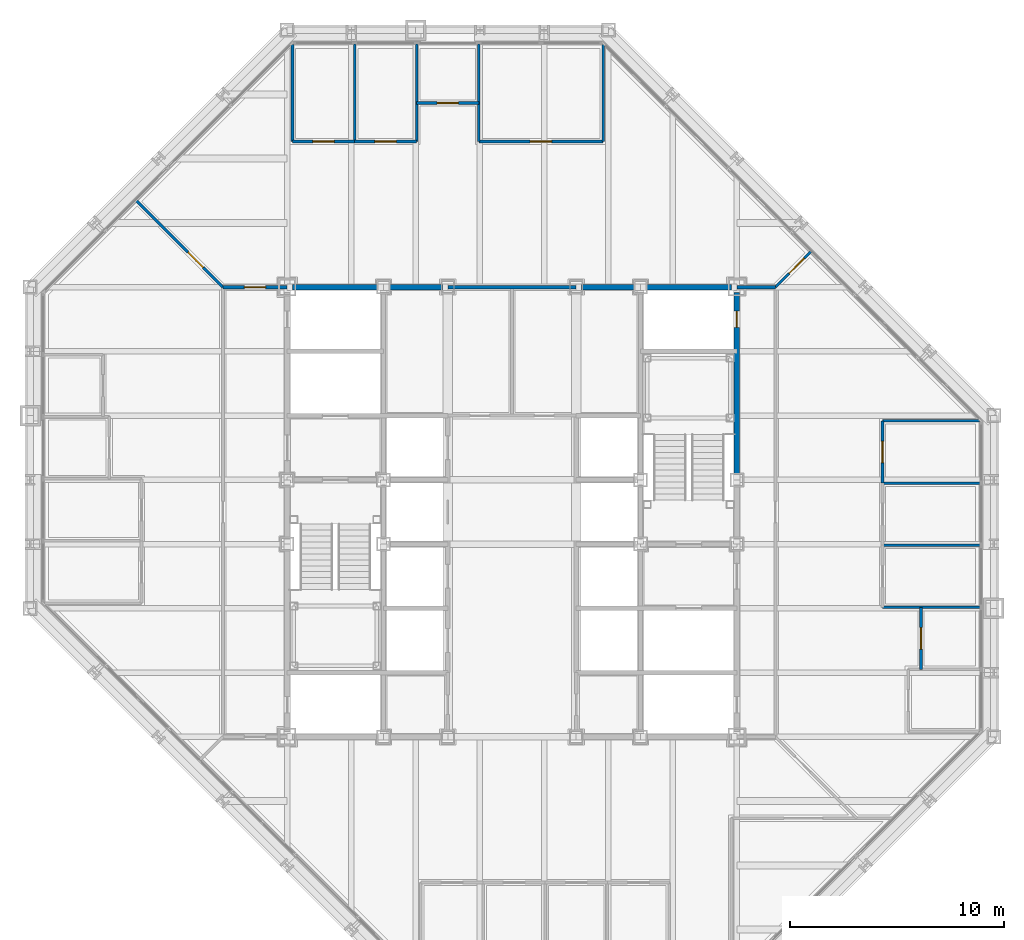
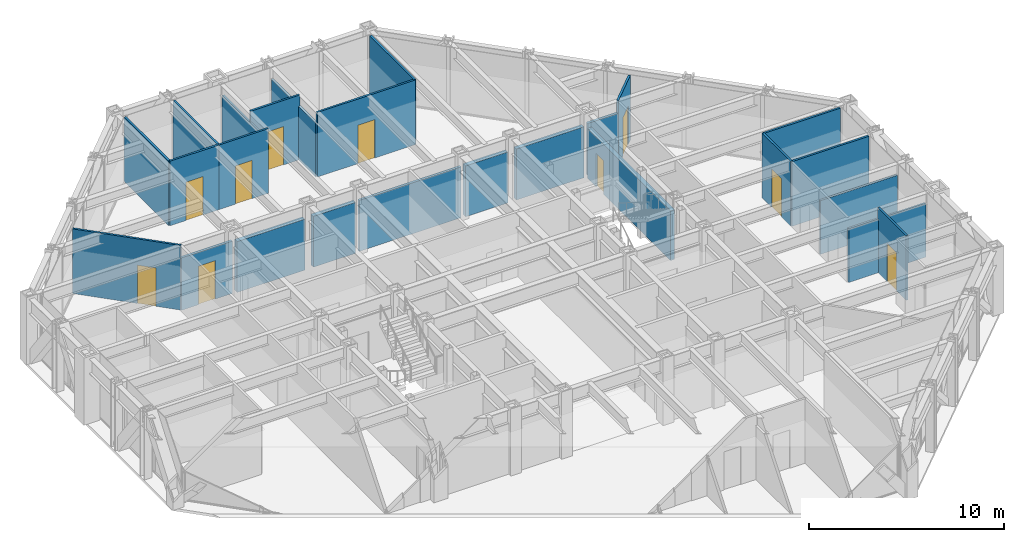
# One storey, part 12 of 15: 25 walls, 10 doors, 10 openings.
"""IFC4 building model written with IfcOpenShell, lengths in metres."""

from ifc_helpers import new_model, si_unit, direction, frame, frame_2d, origin, place, context, subcontext, project, spatial, rectangle, extrude, material, layer, layer_set, type_object, element, fill, save


model = new_model("IFC4")

# Units and contexts
model_context = context("Model", 3, precision=1e-05, world=origin(), true_north=direction((0.0, 1.0)))
body_context = subcontext(model_context, "Body", "Model", "MODEL_VIEW")
ifc_project = project(units=[si_unit("LENGTHUNIT", "METRE"), si_unit("AREAUNIT", "SQUARE_METRE"), si_unit("VOLUMEUNIT", "CUBIC_METRE"), si_unit("PLANEANGLEUNIT", "RADIAN"), si_unit("MASSUNIT", "GRAM", prefix="KILO")], contexts=[model_context])

# Site, building, storey
site_placement = place(None, origin())
site = spatial("IfcSite", under=ifc_project, at=site_placement, CompositionType="ELEMENT")
building_placement = place(site_placement, origin())
building = spatial("IfcBuilding", under=site, at=building_placement, Name="Chuquiago Exchange Tower", CompositionType="ELEMENT")
storey_placement = place(building_placement, frame((0.0, 0.0, 188.699951171875)))
storey = spatial("IfcBuildingStorey", under=building, at=storey_placement, Name="L41", CompositionType="ELEMENT", Elevation=188.699951171875)

# Walls
ifc_material_1 = material(Name="Concrete masonry, fully grouted", Category="masonry")
ifc_layer_1 = layer(ifc_material_1, 0.25)
ifc_layer_set_1 = layer_set([ifc_layer_1], Name="W1 core wall 250")
wall_type_1 = type_object("IfcWallType", Name="W1 core wall 250", PredefinedType="SOLIDWALL", material=ifc_layer_set_1)
wall_1_placement = place(storey_placement, frame((12.25, 33.0, 0.0), z_axis=(0.0, 0.0, 1.0), x_axis=(1.0, 0.0, 0.0)))
element("IfcWall", 1, at=wall_1_placement, inside=storey, type_object=wall_type_1, Name="CW-L41-11-0", PredefinedType="SOLIDWALL", context=body_context, shape_type="SweptSolid", body=[
    extrude(rectangle(XDim=4.0, YDim=0.25, at=frame_2d((2.0, 0.0))), origin(), (0.0, 0.0, 1.0), 3.181640625),
])
for number, where, z_axis, x_axis, name in (
    (2, (16.75, 33.0, 0.0), (0.0, 0.0, 1.0), (1.0, 0.0, 0.0), "CW-L41-11-1"),
    (3, (25.75, 33.0, 0.0), (0.0, 0.0, 1.0), (1.0, 0.0, 0.0), "CW-L41-12-0"),
):
    element("IfcWall", number, at=place(storey_placement, frame(where, z_axis=z_axis, x_axis=x_axis)), inside=storey, type_object=wall_type_1, Name=name, PredefinedType="SOLIDWALL", context=body_context, shape_type="SweptSolid", body=[
        extrude(rectangle(XDim=2.5, YDim=0.25, at=frame_2d((1.25, 0.0))), origin(), (0.0, 0.0, 1.0), 3.181640625),
    ])
wall_2_placement = place(storey_placement, frame((28.75, 33.0, 0.0), z_axis=(0.0, 0.0, 1.0), x_axis=(1.0, 0.0, 0.0)))
element("IfcWall", 4, at=wall_2_placement, inside=storey, type_object=wall_type_1, Name="CW-L41-12-1", PredefinedType="SOLIDWALL", context=body_context, shape_type="SweptSolid", body=[
    extrude(rectangle(XDim=4.0, YDim=0.25, at=frame_2d((2.0, 0.0))), origin(), (0.0, 0.0, 1.0), 3.181640625),
])

# Wall, opening, door
wall_3_placement = place(storey_placement, frame((33.0, 24.25, 0.0), z_axis=(0.0, 0.0, 1.0), x_axis=(0.0, 1.0, 0.0)))
wall_3 = element("IfcWall", 5, at=wall_3_placement, inside=storey, type_object=wall_type_1, Name="CW-L41-25-2", PredefinedType="SOLIDWALL", context=body_context, shape_type="SweptSolid", body=[
    extrude(rectangle(XDim=8.5, YDim=0.25, at=frame_2d((4.25, 0.0))), origin(), (0.0, 0.0, 1.0), 3.113037109375),
])
opening_1_placement = place(wall_3_placement, frame((6.875, 0.0, 0.0)))
opening_1 = element("IfcOpeningElement", 6, at=opening_1_placement, cuts=wall_3, Name="Opening L41-010", PredefinedType="OPENING", context=body_context, shape_type="SweptSolid", body=[
    extrude(rectangle(XDim=0.75, YDim=2.10009765625, at=frame_2d((0.375, 1.050048828125))), frame((0.0, 0.135009765625, 0.0), z_axis=(0.0, -1.0, 0.0), x_axis=(1.0, 0.0, 0.0)), (0.0, 0.0, 1.0), 0.27001953125),
])
ifc_material_2 = material(Name="Steel door, painted", Category="steel")
door_type_1 = type_object("IfcDoorType", Name="D6 riser access door 750x2100", OperationType="SINGLE_SWING_LEFT", PredefinedType="DOOR", material=ifc_material_2)
door_1_placement = place(opening_1_placement, frame((0.75, 0.0, 0.0), z_axis=(0.0, 0.0, 1.0), x_axis=(-1.0, 0.0, 0.0)))
door_1 = element("IfcDoor", 7, at=door_1_placement, inside=storey, type_object=door_type_1, Name="Riser RE2 door", OperationType="SINGLE_SWING_LEFT", OverallHeight=2.10009765625, OverallWidth=0.75, PredefinedType="DOOR", context=body_context, shape_type="SweptSolid", body=[
    extrude(rectangle(XDim=0.75, YDim=2.10009765625, at=frame_2d((0.375, 1.050048828125))), frame((0.0, 0.02490234375, 0.0), z_axis=(0.0, -1.0, 0.0), x_axis=(1.0, 0.0, 0.0)), (0.0, 0.0, 1.0), 0.050048828125),
])
fill(opening_1, door_1)

ifc_material_3 = material(Name="Gypsum board on steel studs, acoustic insulation", Category="steel")
ifc_layer_2 = layer(ifc_material_3, 0.14990234375)
ifc_layer_set_2 = layer_set([ifc_layer_2], Name="W11 corridor wall 150")
wall_type_2 = type_object("IfcWallType", Name="W11 corridor wall 150", PredefinedType="PARTITIONING", material=ifc_layer_set_2)
wall_4_placement = place(storey_placement, frame((9.0, 33.0, 0.0), z_axis=(0.0, 0.0, 1.0), x_axis=(1.0, 0.0, 0.0)))
wall_4 = element("IfcWall", 8, at=wall_4_placement, inside=storey, type_object=wall_type_2, Name="PW-L41-GWN0", PredefinedType="PARTITIONING", context=body_context, shape_type="SweptSolid", body=[
    extrude(rectangle(XDim=3.0, YDim=0.14990234375, at=frame_2d((1.5, 0.0))), origin(), (0.0, 0.0, 1.0), 3.2705078125),
])
opening_2_placement = place(wall_4_placement, frame((1.0, 0.0, 0.0)))
opening_2 = element("IfcOpeningElement", 9, at=opening_2_placement, cuts=wall_4, Name="Opening L41-038", PredefinedType="OPENING", context=body_context, shape_type="SweptSolid", body=[
    extrude(rectangle(XDim=1.0, YDim=2.39990234375, at=frame_2d((0.5, 1.199951171875))), frame((0.0, 0.0849609375, 0.0), z_axis=(0.0, -1.0, 0.0), x_axis=(1.0, 0.0, 0.0)), (0.0, 0.0, 1.0), 0.169921875),
])
ifc_material_4 = material(Name="Timber door, laminate faced", Category="wood")
door_type_2 = type_object("IfcDoorType", Name="D9 room door 1000x2400", OperationType="SINGLE_SWING_LEFT", PredefinedType="DOOR", material=ifc_material_4)
door_2_placement = place(opening_2_placement, origin())
door_2 = element("IfcDoor", 10, at=door_2_placement, inside=storey, type_object=door_type_2, Name="Team area door", OperationType="SINGLE_SWING_RIGHT", OverallHeight=2.39990234375, OverallWidth=1.0, PredefinedType="DOOR", context=body_context, shape_type="SweptSolid", body=[
    extrude(rectangle(XDim=1.0, YDim=2.39990234375, at=frame_2d((0.5, 1.199951171875))), frame((0.0, 0.02490234375, 0.0), z_axis=(0.0, -1.0, 0.0), x_axis=(1.0, 0.0, 0.0)), (0.0, 0.0, 1.0), 0.050048828125),
])
fill(opening_2, door_2)

# Walls
wall_5_placement = place(storey_placement, frame((33.0, 33.0, 0.0), z_axis=(0.0, 0.0, 1.0), x_axis=(1.0, 0.0, 0.0)))
element("IfcWall", 11, at=wall_5_placement, inside=storey, type_object=wall_type_2, Name="PW-L41-GEN0", PredefinedType="PARTITIONING", context=body_context, shape_type="SweptSolid", body=[
    extrude(rectangle(XDim=1.800048828125, YDim=0.14990234375, at=frame_2d((0.89990234375, 0.0))), origin(), (0.0, 0.0, 1.0), 3.2705078125),
])
ifc_material_5 = material(Name="Gypsum board on steel studs", Category="steel")
ifc_layer_3 = layer(ifc_material_5, 0.14990234375)
ifc_layer_set_3 = layer_set([ifc_layer_3], Name="W3 core partition 150")
wall_type_3 = type_object("IfcWallType", Name="W3 core partition 150", PredefinedType="PARTITIONING", material=ifc_layer_set_3)
wall_6_placement = place(storey_placement, frame((19.5, 33.0, 0.0), z_axis=(0.0, 0.0, 1.0), x_axis=(1.0, 0.0, 0.0)))
element("IfcWall", 12, at=wall_6_placement, inside=storey, type_object=wall_type_3, Name="CW-L41-TB", PredefinedType="PARTITIONING", context=body_context, shape_type="SweptSolid", body=[
    extrude(rectangle(XDim=6.0, YDim=0.14990234375, at=frame_2d((3.0, 0.0))), origin(), (0.0, 0.0, 1.0), 3.181640625),
])
ifc_material_6 = material(Name="Gypsum board on steel studs", Category="steel")
ifc_layer_4 = layer(ifc_material_6, 0.1201171875)
ifc_layer_set_4 = layer_set([ifc_layer_4], Name="W4 partition 120")
wall_type_4 = type_object("IfcWallType", Name="W4 partition 120", PredefinedType="PARTITIONING", material=ifc_layer_set_4)
for number, where, z_axis, x_axis, name in (
    (13, (44.347412109375, 18.0498046875, 0.0), (0.0, 0.0, 1.0), (-1.0, 0.0, 0.0), "PW-L41-E01805"),
    (14, (44.347412109375, 20.9501953125, 0.0), (0.0, 0.0, 1.0), (-1.0, 0.0, 0.0), "PW-L41-E02095"),
):
    element("IfcWall", number, at=place(storey_placement, frame(where, z_axis=z_axis, x_axis=x_axis)), inside=storey, type_object=wall_type_4, Name=name, PredefinedType="PARTITIONING", context=body_context, shape_type="SweptSolid", body=[
        extrude(rectangle(XDim=4.54736328125, YDim=0.1201171875, at=frame_2d((2.273681640625, 0.0))), origin(), (0.0, 0.0, 1.0), 3.35693359375),
    ])
wall_7_placement = place(storey_placement, frame((44.347412109375, 23.850830078125, 0.0), z_axis=(0.0, 0.0, 1.0), x_axis=(-1.0, 0.0, 0.0)))
element("IfcWall", 15, at=wall_7_placement, inside=storey, type_object=wall_type_4, Name="PW-L41-E02385", PredefinedType="PARTITIONING", context=body_context, shape_type="SweptSolid", body=[
    extrude(rectangle(XDim=4.54736328125, YDim=0.1201171875, at=frame_2d((2.273681640625, 0.0))), origin(), (0.0, 0.0, 1.0), 4.0400390625),
])
wall_8_placement = place(storey_placement, frame((44.333984375, 26.75146484375, 0.0), z_axis=(0.0, 0.0, 1.0), x_axis=(-1.0, 0.0, 0.0)))
element("IfcWall", 16, at=wall_8_placement, inside=storey, type_object=wall_type_4, Name="PW-L41-E02675", PredefinedType="PARTITIONING", context=body_context, shape_type="SweptSolid", body=[
    extrude(rectangle(XDim=4.533935546875, YDim=0.1201171875, at=frame_2d((2.26708984375, 0.0))), origin(), (0.0, 0.0, 1.0), 4.0400390625),
])

# Wall, opening, door
wall_9_placement = place(storey_placement, frame((41.60009765625, 15.149169921875, 0.0), z_axis=(0.0, 0.0, 1.0), x_axis=(0.0, 1.0, 0.0)))
wall_9 = element("IfcWall", 17, at=wall_9_placement, inside=storey, type_object=wall_type_4, Name="PW-L41-EF01515", PredefinedType="PARTITIONING", context=body_context, shape_type="SweptSolid", body=[
    extrude(rectangle(XDim=2.900634765625, YDim=0.1201171875, at=frame_2d((1.4501953125, 0.0))), origin(), (0.0, 0.0, 1.0), 4.0400390625),
])
opening_3_placement = place(wall_9_placement, frame((0.9501953125, 0.0, 0.0)))
opening_3 = element("IfcOpeningElement", 18, at=opening_3_placement, cuts=wall_9, Name="Opening L41-025", PredefinedType="OPENING", context=body_context, shape_type="SweptSolid", body=[
    extrude(rectangle(XDim=1.0, YDim=2.39990234375, at=frame_2d((0.5, 1.199951171875))), frame((0.0, 0.070068359375, 0.0), z_axis=(0.0, -1.0, 0.0), x_axis=(1.0, 0.0, 0.0)), (0.0, 0.0, 1.0), 0.14013671875),
])
ifc_material_7 = material(Name="Timber frame door, full height glazed panel", Category="wood")
door_type_3 = type_object("IfcDoorType", Name="D14 glazed meeting room door 1000x2400", OperationType="SINGLE_SWING_LEFT", PredefinedType="DOOR", material=ifc_material_7)
door_3_placement = place(opening_3_placement, frame((1.0, 0.0, 0.0), z_axis=(0.0, 0.0, 1.0), x_axis=(-1.0, 0.0, 0.0)))
door_3 = element("IfcDoor", 19, at=door_3_placement, inside=storey, type_object=door_type_3, Name="Focus room door", OperationType="SINGLE_SWING_RIGHT", OverallHeight=2.39990234375, OverallWidth=1.0, PredefinedType="DOOR", context=body_context, shape_type="SweptSolid", body=[
    extrude(rectangle(XDim=1.0, YDim=2.39990234375, at=frame_2d((0.5, 1.199951171875))), frame((0.0, 0.02490234375, 0.0), z_axis=(0.0, -1.0, 0.0), x_axis=(1.0, 0.0, 0.0)), (0.0, 0.0, 1.0), 0.050048828125),
])
fill(opening_3, door_3)

wall_10_placement = place(storey_placement, frame((39.800048828125, 23.850830078125, 0.0), z_axis=(0.0, 0.0, 1.0), x_axis=(0.0, 1.0, 0.0)))
wall_10 = element("IfcWall", 20, at=wall_10_placement, inside=storey, type_object=wall_type_4, Name="PW-L41-EF02385", PredefinedType="PARTITIONING", context=body_context, shape_type="SweptSolid", body=[
    extrude(rectangle(XDim=2.900634765625, YDim=0.1201171875, at=frame_2d((1.4501953125, 0.0))), origin(), (0.0, 0.0, 1.0), 4.0400390625),
])
opening_4_placement = place(wall_10_placement, frame((0.9501953125, 0.0, 0.0)))
opening_4 = element("IfcOpeningElement", 21, at=opening_4_placement, cuts=wall_10, Name="Opening L41-028", PredefinedType="OPENING", context=body_context, shape_type="SweptSolid", body=[
    extrude(rectangle(XDim=1.0, YDim=2.39990234375, at=frame_2d((0.5, 1.199951171875))), frame((0.0, 0.070068359375, 0.0), z_axis=(0.0, -1.0, 0.0), x_axis=(1.0, 0.0, 0.0)), (0.0, 0.0, 1.0), 0.14013671875),
])
door_4_placement = place(opening_4_placement, frame((1.0, 0.0, 0.0), z_axis=(0.0, 0.0, 1.0), x_axis=(-1.0, 0.0, 0.0)))
door_4 = element("IfcDoor", 22, at=door_4_placement, inside=storey, type_object=door_type_3, Name="Meeting room door", OperationType="SINGLE_SWING_RIGHT", OverallHeight=2.39990234375, OverallWidth=1.0, PredefinedType="DOOR", context=body_context, shape_type="SweptSolid", body=[
    extrude(rectangle(XDim=1.0, YDim=2.39990234375, at=frame_2d((0.5, 1.199951171875))), frame((0.0, 0.02490234375, 0.0), z_axis=(0.0, -1.0, 0.0), x_axis=(1.0, 0.0, 0.0)), (0.0, 0.0, 1.0), 0.050048828125),
])
fill(opening_4, door_4)

# Walls
wall_11_placement = place(storey_placement, frame((12.24853515625, 44.333984375, 0.0), z_axis=(0.0, 0.0, 1.0), x_axis=(0.0, -1.0, 0.0)))
element("IfcWall", 23, at=wall_11_placement, inside=storey, type_object=wall_type_4, Name="PW-L41-N01225", PredefinedType="PARTITIONING", context=body_context, shape_type="SweptSolid", body=[
    extrude(rectangle(XDim=4.533935546875, YDim=0.1201171875, at=frame_2d((2.26708984375, 0.0))), origin(), (0.0, 0.0, 1.0), 4.0400390625),
])
wall_12_placement = place(storey_placement, frame((15.149169921875, 44.347412109375, 0.0), z_axis=(0.0, 0.0, 1.0), x_axis=(0.0, -1.0, 0.0)))
element("IfcWall", 24, at=wall_12_placement, inside=storey, type_object=wall_type_4, Name="PW-L41-N01515", PredefinedType="PARTITIONING", context=body_context, shape_type="SweptSolid", body=[
    extrude(rectangle(XDim=4.54736328125, YDim=0.1201171875, at=frame_2d((2.273681640625, 0.0))), origin(), (0.0, 0.0, 1.0), 4.0400390625),
])
for number, where, z_axis, x_axis, name in (
    (25, (18.0498046875, 44.347412109375, 0.0), (0.0, 0.0, 1.0), (0.0, -1.0, 0.0), "PW-L41-N01805"),
    (26, (20.9501953125, 44.347412109375, 0.0), (0.0, 0.0, 1.0), (0.0, -1.0, 0.0), "PW-L41-N02095"),
):
    element("IfcWall", number, at=place(storey_placement, frame(where, z_axis=z_axis, x_axis=x_axis)), inside=storey, type_object=wall_type_4, Name=name, PredefinedType="PARTITIONING", context=body_context, shape_type="SweptSolid", body=[
        extrude(rectangle(XDim=4.54736328125, YDim=0.1201171875, at=frame_2d((2.273681640625, 0.0))), origin(), (0.0, 0.0, 1.0), 3.35693359375),
    ])
wall_13_placement = place(storey_placement, frame((26.75146484375, 44.333984375, 0.0), z_axis=(0.0, 0.0, 1.0), x_axis=(0.0, -1.0, 0.0)))
element("IfcWall", 27, at=wall_13_placement, inside=storey, type_object=wall_type_4, Name="PW-L41-N02675", PredefinedType="PARTITIONING", context=body_context, shape_type="SweptSolid", body=[
    extrude(rectangle(XDim=4.533935546875, YDim=0.1201171875, at=frame_2d((2.26708984375, 0.0))), origin(), (0.0, 0.0, 1.0), 4.0400390625),
])

# Wall, opening, door
wall_14_placement = place(storey_placement, frame((12.24853515625, 39.800048828125, 0.0), z_axis=(0.0, 0.0, 1.0), x_axis=(1.0, 0.0, 0.0)))
wall_14 = element("IfcWall", 28, at=wall_14_placement, inside=storey, type_object=wall_type_4, Name="PW-L41-NF01225", PredefinedType="PARTITIONING", context=body_context, shape_type="SweptSolid", body=[
    extrude(rectangle(XDim=2.900634765625, YDim=0.1201171875, at=frame_2d((1.4501953125, 0.0))), origin(), (0.0, 0.0, 1.0), 4.0400390625),
])
opening_5_placement = place(wall_14_placement, frame((0.9501953125, 0.0, 0.0)))
opening_5 = element("IfcOpeningElement", 29, at=opening_5_placement, cuts=wall_14, Name="Opening L41-029", PredefinedType="OPENING", context=body_context, shape_type="SweptSolid", body=[
    extrude(rectangle(XDim=1.0, YDim=2.39990234375, at=frame_2d((0.5, 1.199951171875))), frame((0.0, 0.070068359375, 0.0), z_axis=(0.0, -1.0, 0.0), x_axis=(1.0, 0.0, 0.0)), (0.0, 0.0, 1.0), 0.14013671875),
])
door_5_placement = place(opening_5_placement, origin())
door_5 = element("IfcDoor", 30, at=door_5_placement, inside=storey, type_object=door_type_2, Name="Office door", OperationType="SINGLE_SWING_LEFT", OverallHeight=2.39990234375, OverallWidth=1.0, PredefinedType="DOOR", context=body_context, shape_type="SweptSolid", body=[
    extrude(rectangle(XDim=1.0, YDim=2.39990234375, at=frame_2d((0.5, 1.199951171875))), frame((0.0, 0.02490234375, 0.0), z_axis=(0.0, -1.0, 0.0), x_axis=(1.0, 0.0, 0.0)), (0.0, 0.0, 1.0), 0.050048828125),
])
fill(opening_5, door_5)

wall_15_placement = place(storey_placement, frame((15.149169921875, 39.800048828125, 0.0), z_axis=(0.0, 0.0, 1.0), x_axis=(1.0, 0.0, 0.0)))
wall_15 = element("IfcWall", 31, at=wall_15_placement, inside=storey, type_object=wall_type_4, Name="PW-L41-NF01515", PredefinedType="PARTITIONING", context=body_context, shape_type="SweptSolid", body=[
    extrude(rectangle(XDim=2.900634765625, YDim=0.1201171875, at=frame_2d((1.4501953125, 0.0))), origin(), (0.0, 0.0, 1.0), 4.0400390625),
])
opening_6_placement = place(wall_15_placement, frame((0.9501953125, 0.0, 0.0)))
opening_6 = element("IfcOpeningElement", 32, at=opening_6_placement, cuts=wall_15, Name="Opening L41-030", PredefinedType="OPENING", context=body_context, shape_type="SweptSolid", body=[
    extrude(rectangle(XDim=1.0, YDim=2.39990234375, at=frame_2d((0.5, 1.199951171875))), frame((0.0, 0.070068359375, 0.0), z_axis=(0.0, -1.0, 0.0), x_axis=(1.0, 0.0, 0.0)), (0.0, 0.0, 1.0), 0.14013671875),
])
door_6_placement = place(opening_6_placement, origin())
door_6 = element("IfcDoor", 33, at=door_6_placement, inside=storey, type_object=door_type_2, Name="Office door", OperationType="SINGLE_SWING_LEFT", OverallHeight=2.39990234375, OverallWidth=1.0, PredefinedType="DOOR", context=body_context, shape_type="SweptSolid", body=[
    extrude(rectangle(XDim=1.0, YDim=2.39990234375, at=frame_2d((0.5, 1.199951171875))), frame((0.0, 0.02490234375, 0.0), z_axis=(0.0, -1.0, 0.0), x_axis=(1.0, 0.0, 0.0)), (0.0, 0.0, 1.0), 0.050048828125),
])
fill(opening_6, door_6)

wall_16_placement = place(storey_placement, frame((18.0498046875, 41.60009765625, 0.0), z_axis=(0.0, 0.0, 1.0), x_axis=(1.0, 0.0, 0.0)))
wall_16 = element("IfcWall", 34, at=wall_16_placement, inside=storey, type_object=wall_type_4, Name="PW-L41-NF01805", PredefinedType="PARTITIONING", context=body_context, shape_type="SweptSolid", body=[
    extrude(rectangle(XDim=2.900390625, YDim=0.1201171875, at=frame_2d((1.4501953125, 0.0))), origin(), (0.0, 0.0, 1.0), 4.0400390625),
])
opening_7_placement = place(wall_16_placement, frame((0.9501953125, 0.0, 0.0)))
opening_7 = element("IfcOpeningElement", 35, at=opening_7_placement, cuts=wall_16, Name="Opening L41-031", PredefinedType="OPENING", context=body_context, shape_type="SweptSolid", body=[
    extrude(rectangle(XDim=1.0, YDim=2.39990234375, at=frame_2d((0.5, 1.199951171875))), frame((0.0, 0.070068359375, 0.0), z_axis=(0.0, -1.0, 0.0), x_axis=(1.0, 0.0, 0.0)), (0.0, 0.0, 1.0), 0.14013671875),
])
door_7_placement = place(opening_7_placement, origin())
door_7 = element("IfcDoor", 36, at=door_7_placement, inside=storey, type_object=door_type_3, Name="Focus room door", OperationType="SINGLE_SWING_RIGHT", OverallHeight=2.39990234375, OverallWidth=1.0, PredefinedType="DOOR", context=body_context, shape_type="SweptSolid", body=[
    extrude(rectangle(XDim=1.0, YDim=2.39990234375, at=frame_2d((0.5, 1.199951171875))), frame((0.0, 0.02490234375, 0.0), z_axis=(0.0, -1.0, 0.0), x_axis=(1.0, 0.0, 0.0)), (0.0, 0.0, 1.0), 0.050048828125),
])
fill(opening_7, door_7)

wall_17_placement = place(storey_placement, frame((20.9501953125, 39.800048828125, 0.0), z_axis=(0.0, 0.0, 1.0), x_axis=(1.0, 0.0, 0.0)))
wall_17 = element("IfcWall", 37, at=wall_17_placement, inside=storey, type_object=wall_type_4, Name="PW-L41-NF02095", PredefinedType="PARTITIONING", context=body_context, shape_type="SweptSolid", body=[
    extrude(rectangle(XDim=5.80126953125, YDim=0.1201171875, at=frame_2d((2.900634765625, 0.0))), origin(), (0.0, 0.0, 1.0), 4.0400390625),
])
opening_8_placement = place(wall_17_placement, frame((2.400634765625, 0.0, 0.0)))
opening_8 = element("IfcOpeningElement", 38, at=opening_8_placement, cuts=wall_17, Name="Opening L41-032", PredefinedType="OPENING", context=body_context, shape_type="SweptSolid", body=[
    extrude(rectangle(XDim=1.0, YDim=2.39990234375, at=frame_2d((0.5, 1.199951171875))), frame((0.0, 0.070068359375, 0.0), z_axis=(0.0, -1.0, 0.0), x_axis=(1.0, 0.0, 0.0)), (0.0, 0.0, 1.0), 0.14013671875),
])
door_8_placement = place(opening_8_placement, origin())
door_8 = element("IfcDoor", 39, at=door_8_placement, inside=storey, type_object=door_type_3, Name="Meeting room door", OperationType="SINGLE_SWING_LEFT", OverallHeight=2.39990234375, OverallWidth=1.0, PredefinedType="DOOR", context=body_context, shape_type="SweptSolid", body=[
    extrude(rectangle(XDim=1.0, YDim=2.39990234375, at=frame_2d((0.5, 1.199951171875))), frame((0.0, 0.02490234375, 0.0), z_axis=(0.0, -1.0, 0.0), x_axis=(1.0, 0.0, 0.0)), (0.0, 0.0, 1.0), 0.050048828125),
])
fill(opening_8, door_8)

wall_18_placement = place(storey_placement, frame((34.800048828125, 33.0, 0.0), z_axis=(0.0, 0.0, 1.0), x_axis=(0.707106781187, 0.707106781187, 0.0)))
wall_18 = element("IfcWall", 40, at=wall_18_placement, inside=storey, type_object=wall_type_4, Name="PW-L41-QNE", PredefinedType="PARTITIONING", context=body_context, shape_type="SweptSolid", body=[
    extrude(rectangle(XDim=2.337890625, YDim=0.1201171875, at=frame_2d((1.1689453125, 0.0))), origin(), (0.0, 0.0, 1.0), 4.0400390625),
])
opening_9_placement = place(wall_18_placement, frame((0.89990234375, 0.0, 0.0)))
opening_9 = element("IfcOpeningElement", 41, at=opening_9_placement, cuts=wall_18, Name="Opening L41-041", PredefinedType="OPENING", context=body_context, shape_type="SweptSolid", body=[
    extrude(rectangle(XDim=1.0, YDim=2.39990234375, at=frame_2d((0.5, 1.199951171875))), frame((0.0, 0.070068359375, 0.0), z_axis=(0.0, -1.0, 0.0), x_axis=(1.0, 0.0, 0.0)), (0.0, 0.0, 1.0), 0.14013671875),
])
door_9_placement = place(opening_9_placement, frame((1.0, 0.0, 0.0), z_axis=(0.0, 0.0, 1.0), x_axis=(-1.0, 0.0, 0.0)))
door_9 = element("IfcDoor", 42, at=door_9_placement, inside=storey, type_object=door_type_2, Name="Team area door", OperationType="SINGLE_SWING_LEFT", OverallHeight=2.39990234375, OverallWidth=1.0, PredefinedType="DOOR", context=body_context, shape_type="SweptSolid", body=[
    extrude(rectangle(XDim=1.0, YDim=2.39990234375, at=frame_2d((0.5, 1.199951171875))), frame((0.0, 0.02490234375, 0.0), z_axis=(0.0, -1.0, 0.0), x_axis=(1.0, 0.0, 0.0)), (0.0, 0.0, 1.0), 0.050048828125),
])
fill(opening_9, door_9)

wall_19_placement = place(storey_placement, frame((9.0, 33.0, 0.0), z_axis=(0.0, 0.0, 1.0), x_axis=(-0.707106781187, 0.707106781187, 0.0)))
wall_19 = element("IfcWall", 43, at=wall_19_placement, inside=storey, type_object=wall_type_4, Name="PW-L41-QNW", PredefinedType="PARTITIONING", context=body_context, shape_type="SweptSolid", body=[
    extrude(rectangle(XDim=5.731689453125, YDim=0.1201171875, at=frame_2d((2.86572265625, 0.0))), origin(), (0.0, 0.0, 1.0), 4.0400390625),
])
opening_10_placement = place(wall_19_placement, frame((1.300048828125, 0.0, 0.0)))
opening_10 = element("IfcOpeningElement", 44, at=opening_10_placement, cuts=wall_19, Name="Opening L41-042", PredefinedType="OPENING", context=body_context, shape_type="SweptSolid", body=[
    extrude(rectangle(XDim=1.0, YDim=2.39990234375, at=frame_2d((0.5, 1.199951171875))), frame((0.0, 0.070068359375, 0.0), z_axis=(0.0, -1.0, 0.0), x_axis=(1.0, 0.0, 0.0)), (0.0, 0.0, 1.0), 0.14013671875),
])
door_10_placement = place(opening_10_placement, frame((1.0, 0.0, 0.0), z_axis=(0.0, 0.0, 1.0), x_axis=(-1.0, 0.0, 0.0)))
door_10 = element("IfcDoor", 45, at=door_10_placement, inside=storey, type_object=door_type_2, Name="Team area door", OperationType="SINGLE_SWING_RIGHT", OverallHeight=2.39990234375, OverallWidth=1.0, PredefinedType="DOOR", context=body_context, shape_type="SweptSolid", body=[
    extrude(rectangle(XDim=1.0, YDim=2.39990234375, at=frame_2d((0.5, 1.199951171875))), frame((0.0, 0.02490234375, 0.0), z_axis=(0.0, -1.0, 0.0), x_axis=(1.0, 0.0, 0.0)), (0.0, 0.0, 1.0), 0.050048828125),
])
fill(opening_10, door_10)

save(model, "model.ifc")
